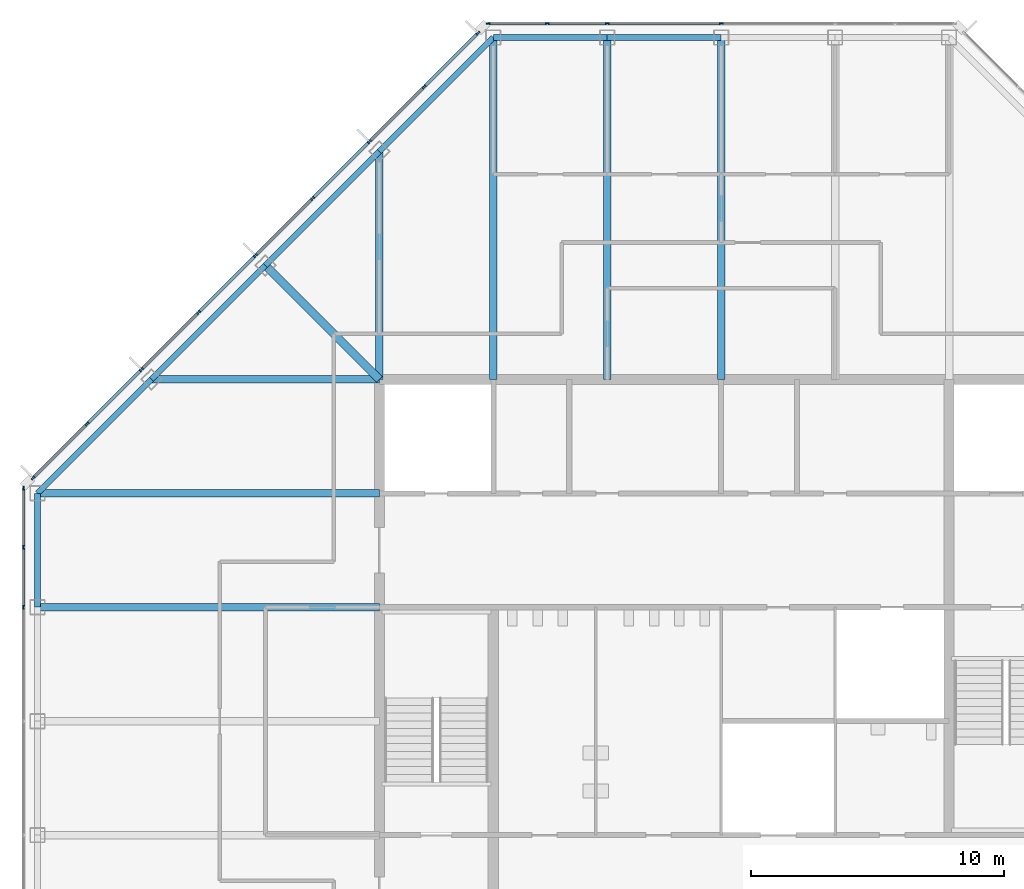
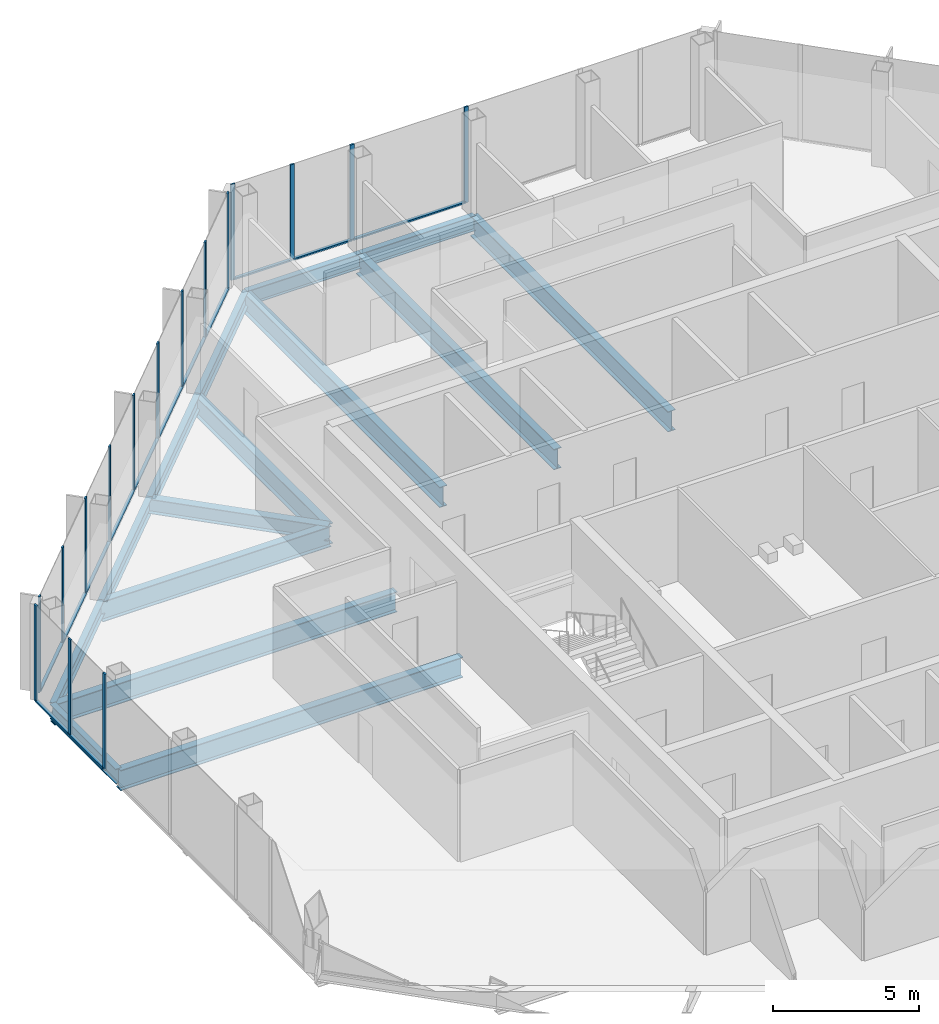
# One storey, part 6 of 14: 29 members, 15 beams, 3 elements without a shape of their own.
"""IFC4 building model written with IfcOpenShell, lengths in metres."""

from ifc_helpers import new_model, si_unit, direction, frame, origin, origin_2d, place, context, subcontext, project, spatial, rectangle, i_section, extrude, material, material_profile, profile_set, type_object, element, aggregate, save


model = new_model("IFC4")

# Units and contexts
model_context = context("Model", 3, precision=1e-05, world=origin(), true_north=direction((0.0, 1.0)))
body_context = subcontext(model_context, "Body", "Model", "MODEL_VIEW")
ifc_project = project(units=[si_unit("LENGTHUNIT", "METRE"), si_unit("AREAUNIT", "SQUARE_METRE"), si_unit("VOLUMEUNIT", "CUBIC_METRE"), si_unit("PLANEANGLEUNIT", "RADIAN"), si_unit("MASSUNIT", "GRAM", prefix="KILO")], contexts=[model_context])

# Site, building, storey
site_placement = place(None, origin())
site = spatial("IfcSite", under=ifc_project, at=site_placement, CompositionType="ELEMENT")
building_placement = place(site_placement, origin())
building = spatial("IfcBuilding", under=site, at=building_placement, Name="Corais Broadcast Tower", CompositionType="ELEMENT")
storey_placement = place(building_placement, frame((0.0, 0.0, 282.60009765625)))
storey = spatial("IfcBuildingStorey", under=building, at=storey_placement, Name="L66", CompositionType="ELEMENT", Elevation=282.60009765625)

# Beams
ifc_material_1 = material(Name="Steel ASTM A572 Grade 50", Category="steel")
ifc_material_profile_1 = material_profile(ifc_material_1, i_section(OverallWidth=0.323974609375, OverallDepth=0.611083984375, WebThickness=0.0126953125, FlangeThickness=0.01904296875, at=origin_2d()), Name="W610x155")
ifc_profile_set_1 = profile_set([ifc_material_profile_1], Name="Steel ASTM A572 Grade 50")
beam_type_1 = type_object("IfcBeamType", Name="Corner diagonal W610x155", PredefinedType="BEAM", material=ifc_profile_set_1)
beam_1_placement = place(storey_placement, frame((9.0, 45.0, -0.465576171875), z_axis=(0.707106781187, -0.707106781187, 0.0), x_axis=(0.707106781187, 0.707106781187, 0.0)))
element("IfcBeam", 1, at=beam_1_placement, inside=storey, type_object=beam_type_1, Name="B6 L/5 to K/6", PredefinedType="BEAM", context=body_context, shape_type="SweptSolid", body=[
    extrude(i_section(OverallWidth=0.323974609375, OverallDepth=0.611083984375, WebThickness=0.0126953125, FlangeThickness=0.01904296875, at=origin_2d()), origin(), (0.0, 0.0, 1.0), 6.364013671875),
])
ifc_material_2 = material(Name="Steel ASTM A572 Grade 50", Category="steel")
ifc_material_profile_2 = material_profile(ifc_material_2, i_section(OverallWidth=0.2939453125, OverallDepth=0.85107421875, WebThickness=0.01611328125, FlangeThickness=0.02685546875, at=origin_2d()), Name="W840x226")
ifc_profile_set_2 = profile_set([ifc_material_profile_2], Name="Steel ASTM A572 Grade 50")
beam_type_2 = type_object("IfcBeamType", Name="Floor beam W840x226", PredefinedType="BEAM", material=ifc_profile_set_2)
for number, where, z_axis, x_axis, name in (
    (2, (0.0, 31.5, -0.585693359375), (1.0, 0.0, 0.0), (0.0, 1.0, 0.0), "B1 H/3 to H/6"),
    (3, (0.0, 36.0, -0.585693359375), (1.0, 0.0, 0.0), (0.0, 1.0, 0.0), "B1 J/3 to J/6"),
):
    element("IfcBeam", number, at=place(storey_placement, frame(where, z_axis=z_axis, x_axis=x_axis)), inside=storey, type_object=beam_type_2, Name=name, PredefinedType="BEAM", context=body_context, shape_type="SweptSolid", body=[
        extrude(i_section(OverallWidth=0.2939453125, OverallDepth=0.85107421875, WebThickness=0.01611328125, FlangeThickness=0.02685546875, at=origin_2d()), origin(), (0.0, 0.0, 1.0), 13.5),
    ])
beam_2_placement = place(storey_placement, frame((13.5, 49.5, -0.585693359375), z_axis=(0.0, -1.0, 0.0), x_axis=(1.0, 0.0, 0.0)))
element("IfcBeam", 4, at=beam_2_placement, inside=storey, type_object=beam_type_2, Name="B1 M/6 to K/6", PredefinedType="BEAM", context=body_context, shape_type="SweptSolid", body=[
    extrude(i_section(OverallWidth=0.2939453125, OverallDepth=0.85107421875, WebThickness=0.01611328125, FlangeThickness=0.02685546875, at=origin_2d()), origin(), (0.0, 0.0, 1.0), 9.0),
])
for number, where, z_axis, x_axis, name in (
    (5, (18.0, 54.0, -0.585693359375), (0.0, -1.0, 0.0), (1.0, 0.0, 0.0), "B1 N/7 to K/7"),
    (6, (22.5, 54.0, -0.585693359375), (0.0, -1.0, 0.0), (1.0, 0.0, 0.0), "B1 N/8 to K/8"),
    (7, (27.0, 54.0, -0.585693359375), (0.0, -1.0, 0.0), (1.0, 0.0, 0.0), "B1 N/9 to K/9"),
):
    element("IfcBeam", number, at=place(storey_placement, frame(where, z_axis=z_axis, x_axis=x_axis)), inside=storey, type_object=beam_type_2, Name=name, PredefinedType="BEAM", context=body_context, shape_type="SweptSolid", body=[
        extrude(i_section(OverallWidth=0.2939453125, OverallDepth=0.85107421875, WebThickness=0.01611328125, FlangeThickness=0.02685546875, at=origin_2d()), origin(), (0.0, 0.0, 1.0), 13.5),
    ])
beam_3_placement = place(storey_placement, frame((4.5, 40.5, -0.585693359375), z_axis=(1.0, 0.0, 0.0), x_axis=(0.0, 1.0, 0.0)))
element("IfcBeam", 8, at=beam_3_placement, inside=storey, type_object=beam_type_2, Name="B1 K/4 to K/6", PredefinedType="BEAM", context=body_context, shape_type="SweptSolid", body=[
    extrude(i_section(OverallWidth=0.2939453125, OverallDepth=0.85107421875, WebThickness=0.01611328125, FlangeThickness=0.02685546875, at=origin_2d()), origin(), (0.0, 0.0, 1.0), 9.0),
])

# Curtain wall, members
ifc_material_3 = material(Name="Aluminium and glass", Category="aluminium")
curtain_wall_type = type_object("IfcCurtainWallType", Name="Unitised fritted curtain wall CW3", PredefinedType="NOTDEFINED", material=ifc_material_3)
curtain_wall_1_placement = place(storey_placement, origin())
curtain_wall_1 = element("IfcCurtainWall", 9, at=curtain_wall_1_placement, inside=storey, type_object=curtain_wall_type, Name="CW3 curtain wall L66 2", PredefinedType="NOTDEFINED")
ifc_material_4 = material(Name="Aluminium 6063-T6", Category="aluminium")
ifc_material_profile_3 = material_profile(ifc_material_4, rectangle(XDim=0.06494140625, YDim=0.159912109375, at=origin_2d()), Name="Mullion CW3 65x160")
ifc_profile_set_3 = profile_set([ifc_material_profile_3], Name="Aluminium 6063-T6")
member_type_1 = type_object("IfcMemberType", Name="Mullion CW3 65x160", PredefinedType="MULLION", material=ifc_profile_set_3)
member_1_placement = place(storey_placement, frame((-0.550048828125, 31.5, 0.0), z_axis=(0.0, 0.0, 1.0), x_axis=(-1.0, 0.0, 0.0)))
member_1 = element("IfcMember", 10, at=member_1_placement, type_object=member_type_1, Name="CW3 mullion 5", PredefinedType="MULLION", context=body_context, shape_type="SweptSolid", body=[
    extrude(rectangle(XDim=0.06494140625, YDim=0.159912109375, at=origin_2d()), origin(), (0.0, 0.0, 1.0), 4.0),
])
member_2_placement = place(storey_placement, frame((-0.550048828125, 33.864013671875, 0.0), z_axis=(0.0, 0.0, 1.0), x_axis=(-1.0, 0.0, 0.0)))
member_2 = element("IfcMember", 11, at=member_2_placement, type_object=member_type_1, Name="CW3 mullion 6", PredefinedType="MULLION", context=body_context, shape_type="SweptSolid", body=[
    extrude(rectangle(XDim=0.06494140625, YDim=0.159912109375, at=origin_2d()), origin(), (0.0, 0.0, 1.0), 4.0),
])
member_3_placement = place(storey_placement, frame((-0.550048828125, 36.1953125, 0.0), z_axis=(0.0, 0.0, 1.0), x_axis=(-1.0, 0.0, 0.0)))
member_3 = element("IfcMember", 12, at=member_3_placement, type_object=member_type_1, Name="CW3 mullion 7", PredefinedType="MULLION", context=body_context, shape_type="SweptSolid", body=[
    extrude(rectangle(XDim=0.06494140625, YDim=0.159912109375, at=origin_2d()), origin(), (0.0, 0.0, 1.0), 4.0),
])

curtain_wall_2_placement = place(storey_placement, origin())
curtain_wall_2 = element("IfcCurtainWall", 13, at=curtain_wall_2_placement, inside=storey, type_object=curtain_wall_type, Name="CW3 curtain wall L66 3", PredefinedType="NOTDEFINED")
member_4_placement = place(storey_placement, frame((-0.17333984375, 36.6044921875, 0.0), z_axis=(0.0, 0.0, 1.0), x_axis=(-0.707106781187, 0.707106781187, 0.0)))
member_4 = element("IfcMember", 14, at=member_4_placement, type_object=member_type_1, Name="CW3 mullion 1", PredefinedType="MULLION", context=body_context, shape_type="SweptSolid", body=[
    extrude(rectangle(XDim=0.06494140625, YDim=0.159912109375, at=origin_2d()), origin(), (0.0, 0.0, 1.0), 4.0),
])
member_5_placement = place(storey_placement, frame((1.957275390625, 38.735107421875, 0.0), z_axis=(0.0, 0.0, 1.0), x_axis=(-0.707106781187, 0.707106781187, 0.0)))
member_5 = element("IfcMember", 15, at=member_5_placement, type_object=member_type_1, Name="CW3 mullion 2", PredefinedType="MULLION", context=body_context, shape_type="SweptSolid", body=[
    extrude(rectangle(XDim=0.06494140625, YDim=0.159912109375, at=origin_2d()), origin(), (0.0, 0.0, 1.0), 4.0),
])
member_6_placement = place(storey_placement, frame((4.111083984375, 40.888916015625, 0.0), z_axis=(0.0, 0.0, 1.0), x_axis=(-0.707106781187, 0.707106781187, 0.0)))
member_6 = element("IfcMember", 16, at=member_6_placement, type_object=member_type_1, Name="CW3 mullion 3", PredefinedType="MULLION", context=body_context, shape_type="SweptSolid", body=[
    extrude(rectangle(XDim=0.06494140625, YDim=0.159912109375, at=origin_2d()), origin(), (0.0, 0.0, 1.0), 4.0),
])
member_7_placement = place(storey_placement, frame((6.361083984375, 43.138916015625, 0.0), z_axis=(0.0, 0.0, 1.0), x_axis=(-0.707106781187, 0.707106781187, 0.0)))
member_7 = element("IfcMember", 17, at=member_7_placement, type_object=member_type_1, Name="CW3 mullion 4", PredefinedType="MULLION", context=body_context, shape_type="SweptSolid", body=[
    extrude(rectangle(XDim=0.06494140625, YDim=0.159912109375, at=origin_2d()), origin(), (0.0, 0.0, 1.0), 4.0),
])
member_8_placement = place(storey_placement, frame((8.611083984375, 45.388916015625, 0.0), z_axis=(0.0, 0.0, 1.0), x_axis=(-0.707106781187, 0.707106781187, 0.0)))
member_8 = element("IfcMember", 18, at=member_8_placement, type_object=member_type_1, Name="CW3 mullion 5", PredefinedType="MULLION", context=body_context, shape_type="SweptSolid", body=[
    extrude(rectangle(XDim=0.06494140625, YDim=0.159912109375, at=origin_2d()), origin(), (0.0, 0.0, 1.0), 4.0),
])
member_9_placement = place(storey_placement, frame((10.861083984375, 47.638916015625, 0.0), z_axis=(0.0, 0.0, 1.0), x_axis=(-0.707106781187, 0.707106781187, 0.0)))
member_9 = element("IfcMember", 19, at=member_9_placement, type_object=member_type_1, Name="CW3 mullion 6", PredefinedType="MULLION", context=body_context, shape_type="SweptSolid", body=[
    extrude(rectangle(XDim=0.06494140625, YDim=0.159912109375, at=origin_2d()), origin(), (0.0, 0.0, 1.0), 4.0),
])
member_10_placement = place(storey_placement, frame((13.111083984375, 49.888916015625, 0.0), z_axis=(0.0, 0.0, 1.0), x_axis=(-0.707106781187, 0.707106781187, 0.0)))
member_10 = element("IfcMember", 20, at=member_10_placement, type_object=member_type_1, Name="CW3 mullion 7", PredefinedType="MULLION", context=body_context, shape_type="SweptSolid", body=[
    extrude(rectangle(XDim=0.06494140625, YDim=0.159912109375, at=origin_2d()), origin(), (0.0, 0.0, 1.0), 4.0),
])
member_11_placement = place(storey_placement, frame((15.264892578125, 52.042724609375, 0.0), z_axis=(0.0, 0.0, 1.0), x_axis=(-0.707106781187, 0.707106781187, 0.0)))
member_11 = element("IfcMember", 21, at=member_11_placement, type_object=member_type_1, Name="CW3 mullion 8", PredefinedType="MULLION", context=body_context, shape_type="SweptSolid", body=[
    extrude(rectangle(XDim=0.06494140625, YDim=0.159912109375, at=origin_2d()), origin(), (0.0, 0.0, 1.0), 4.0),
])
member_12_placement = place(storey_placement, frame((17.3955078125, 54.17333984375, 0.0), z_axis=(0.0, 0.0, 1.0), x_axis=(-0.707106781187, 0.707106781187, 0.0)))
member_12 = element("IfcMember", 22, at=member_12_placement, type_object=member_type_1, Name="CW3 mullion 9", PredefinedType="MULLION", context=body_context, shape_type="SweptSolid", body=[
    extrude(rectangle(XDim=0.06494140625, YDim=0.159912109375, at=origin_2d()), origin(), (0.0, 0.0, 1.0), 4.0),
])

curtain_wall_3_placement = place(storey_placement, origin())
curtain_wall_3 = element("IfcCurtainWall", 23, at=curtain_wall_3_placement, inside=storey, type_object=curtain_wall_type, Name="CW3 curtain wall L66 4", PredefinedType="NOTDEFINED")
member_13_placement = place(storey_placement, frame((17.8046875, 54.550048828125, 0.0), z_axis=(0.0, 0.0, 1.0), x_axis=(0.0, 1.0, 0.0)))
member_13 = element("IfcMember", 24, at=member_13_placement, type_object=member_type_1, Name="CW3 mullion 1", PredefinedType="MULLION", context=body_context, shape_type="SweptSolid", body=[
    extrude(rectangle(XDim=0.06494140625, YDim=0.159912109375, at=origin_2d()), origin(), (0.0, 0.0, 1.0), 4.0),
])
member_14_placement = place(storey_placement, frame((20.135986328125, 54.550048828125, 0.0), z_axis=(0.0, 0.0, 1.0), x_axis=(0.0, 1.0, 0.0)))
member_14 = element("IfcMember", 25, at=member_14_placement, type_object=member_type_1, Name="CW3 mullion 2", PredefinedType="MULLION", context=body_context, shape_type="SweptSolid", body=[
    extrude(rectangle(XDim=0.06494140625, YDim=0.159912109375, at=origin_2d()), origin(), (0.0, 0.0, 1.0), 4.0),
])
member_15_placement = place(storey_placement, frame((22.5, 54.550048828125, 0.0), z_axis=(0.0, 0.0, 1.0), x_axis=(0.0, 1.0, 0.0)))
member_15 = element("IfcMember", 26, at=member_15_placement, type_object=member_type_1, Name="CW3 mullion 3", PredefinedType="MULLION", context=body_context, shape_type="SweptSolid", body=[
    extrude(rectangle(XDim=0.06494140625, YDim=0.159912109375, at=origin_2d()), origin(), (0.0, 0.0, 1.0), 4.0),
])
member_16_placement = place(storey_placement, frame((27.0, 54.550048828125, 0.0), z_axis=(0.0, 0.0, 1.0), x_axis=(0.0, 1.0, 0.0)))
member_16 = element("IfcMember", 27, at=member_16_placement, type_object=member_type_1, Name="CW3 mullion 4", PredefinedType="MULLION", context=body_context, shape_type="SweptSolid", body=[
    extrude(rectangle(XDim=0.06494140625, YDim=0.159912109375, at=origin_2d()), origin(), (0.0, 0.0, 1.0), 4.0),
])

# Beams
ifc_material_5 = material(Name="Steel ASTM A572 Grade 50", Category="steel")
ifc_material_profile_4 = material_profile(ifc_material_5, i_section(OverallWidth=0.22998046875, OverallDepth=0.616943359375, WebThickness=0.01318359375, FlangeThickness=0.022216796875, at=origin_2d()), Name="W610x140")
ifc_profile_set_4 = profile_set([ifc_material_profile_4], Name="Steel ASTM A572 Grade 50")
beam_type_3 = type_object("IfcBeamType", Name="Spandrel W610x140", PredefinedType="BEAM", material=ifc_profile_set_4)
beam_4_placement = place(storey_placement, frame((0.0, 36.0, -0.468505859375), z_axis=(0.0, -1.0, 0.0), x_axis=(1.0, 0.0, 0.0)))
element("IfcBeam", 28, at=beam_4_placement, inside=storey, type_object=beam_type_3, Name="SB3 J/3 to H/3", PredefinedType="BEAM", context=body_context, shape_type="SweptSolid", body=[
    extrude(i_section(OverallWidth=0.22998046875, OverallDepth=0.616943359375, WebThickness=0.01318359375, FlangeThickness=0.022216796875, at=origin_2d()), origin(), (0.0, 0.0, 1.0), 4.5),
])
for number, where, z_axis, x_axis, name in (
    (29, (13.5, 49.5, -0.468505859375), (-0.707106781187, -0.707106781187, 0.0), (0.707106781187, -0.707106781187, 0.0), "SB3 M/6 to L/5"),
    (30, (18.0, 54.0, -0.468505859375), (-0.707106781187, -0.707106781187, 0.0), (0.707106781187, -0.707106781187, 0.0), "SB3 N/7 to M/6"),
):
    element("IfcBeam", number, at=place(storey_placement, frame(where, z_axis=z_axis, x_axis=x_axis)), inside=storey, type_object=beam_type_3, Name=name, PredefinedType="BEAM", context=body_context, shape_type="SweptSolid", body=[
        extrude(i_section(OverallWidth=0.22998046875, OverallDepth=0.616943359375, WebThickness=0.01318359375, FlangeThickness=0.022216796875, at=origin_2d()), origin(), (0.0, 0.0, 1.0), 6.364013671875),
    ])
for number, where, z_axis, x_axis, name in (
    (31, (22.5, 54.0, -0.468505859375), (-1.0, 0.0, 0.0), (0.0, -1.0, 0.0), "SB3 N/8 to N/7"),
    (32, (27.0, 54.0, -0.468505859375), (-1.0, 0.0, 0.0), (0.0, -1.0, 0.0), "SB3 N/9 to N/8"),
):
    element("IfcBeam", number, at=place(storey_placement, frame(where, z_axis=z_axis, x_axis=x_axis)), inside=storey, type_object=beam_type_3, Name=name, PredefinedType="BEAM", context=body_context, shape_type="SweptSolid", body=[
        extrude(i_section(OverallWidth=0.22998046875, OverallDepth=0.616943359375, WebThickness=0.01318359375, FlangeThickness=0.022216796875, at=origin_2d()), origin(), (0.0, 0.0, 1.0), 4.5),
    ])
for number, where, z_axis, x_axis, name in (
    (33, (4.5, 40.5, -0.468505859375), (-0.707106781187, -0.707106781187, 0.0), (0.707106781187, -0.707106781187, 0.0), "SB3 K/4 to J/3"),
    (34, (9.0, 45.0, -0.468505859375), (-0.707106781187, -0.707106781187, 0.0), (0.707106781187, -0.707106781187, 0.0), "SB3 L/5 to K/4"),
):
    element("IfcBeam", number, at=place(storey_placement, frame(where, z_axis=z_axis, x_axis=x_axis)), inside=storey, type_object=beam_type_3, Name=name, PredefinedType="BEAM", context=body_context, shape_type="SweptSolid", body=[
        extrude(i_section(OverallWidth=0.22998046875, OverallDepth=0.616943359375, WebThickness=0.01318359375, FlangeThickness=0.022216796875, at=origin_2d()), origin(), (0.0, 0.0, 1.0), 6.364013671875),
    ])

# Member
ifc_material_6 = material(Name="Aluminium 6063-T6", Category="aluminium")
ifc_material_profile_5 = material_profile(ifc_material_6, rectangle(XDim=0.1201171875, YDim=0.06494140625, at=origin_2d()), Name="Transom CW3 65x120")
ifc_profile_set_5 = profile_set([ifc_material_profile_5], Name="Aluminium 6063-T6")
member_type_2 = type_object("IfcMemberType", Name="Transom CW3 65x120", PredefinedType="USERDEFINED", material=ifc_profile_set_5)
member_17_placement = place(storey_placement, frame((-0.550048828125, 31.532470703125, 0.032470703125), z_axis=(0.0, 1.0, 0.0), x_axis=(-1.0, 0.0, 0.0)))
member_17 = element("IfcMember", 35, at=member_17_placement, type_object=member_type_2, Name="CW3 transom 5.1", ObjectType="TRANSOM", PredefinedType="USERDEFINED", context=body_context, shape_type="SweptSolid", body=[
    extrude(rectangle(XDim=0.1201171875, YDim=0.06494140625, at=origin_2d()), origin(), (0.0, 0.0, 1.0), 2.298828125),
])

member_18_placement = place(storey_placement, frame((-0.550048828125, 33.896484375, 0.032470703125), z_axis=(0.0, 1.0, 0.0), x_axis=(-1.0, 0.0, 0.0)))
member_18 = element("IfcMember", 36, at=member_18_placement, type_object=member_type_2, Name="CW3 transom 6.1", ObjectType="TRANSOM", PredefinedType="USERDEFINED", context=body_context, shape_type="SweptSolid", body=[
    extrude(rectangle(XDim=0.1201171875, YDim=0.06494140625, at=origin_2d()), origin(), (0.0, 0.0, 1.0), 2.266357421875),
])

aggregate(curtain_wall_1, [member_1, member_2, member_3, member_17, member_18])

member_19_placement = place(storey_placement, frame((-0.150390625, 36.62744140625, 0.032470703125), z_axis=(0.707106781187, 0.707106781187, 0.0), x_axis=(-0.707106781187, 0.707106781187, 0.0)))
member_19 = element("IfcMember", 37, at=member_19_placement, type_object=member_type_2, Name="CW3 transom 1.1", ObjectType="TRANSOM", PredefinedType="USERDEFINED", context=body_context, shape_type="SweptSolid", body=[
    extrude(rectangle(XDim=0.1201171875, YDim=0.06494140625, at=origin_2d()), origin(), (0.0, 0.0, 1.0), 2.9482421875),
])

member_20_placement = place(storey_placement, frame((1.980224609375, 38.758056640625, 0.032470703125), z_axis=(0.707106781187, 0.707106781187, 0.0), x_axis=(-0.707106781187, 0.707106781187, 0.0)))
member_20 = element("IfcMember", 38, at=member_20_placement, type_object=member_type_2, Name="CW3 transom 2.1", ObjectType="TRANSOM", PredefinedType="USERDEFINED", context=body_context, shape_type="SweptSolid", body=[
    extrude(rectangle(XDim=0.1201171875, YDim=0.06494140625, at=origin_2d()), origin(), (0.0, 0.0, 1.0), 2.98095703125),
])

member_21_placement = place(storey_placement, frame((4.134033203125, 40.911865234375, 0.032470703125), z_axis=(0.707106781187, 0.707106781187, 0.0), x_axis=(-0.707106781187, 0.707106781187, 0.0)))
member_21 = element("IfcMember", 39, at=member_21_placement, type_object=member_type_2, Name="CW3 transom 3.1", ObjectType="TRANSOM", PredefinedType="USERDEFINED", context=body_context, shape_type="SweptSolid", body=[
    extrude(rectangle(XDim=0.1201171875, YDim=0.06494140625, at=origin_2d()), origin(), (0.0, 0.0, 1.0), 3.1171875),
])

member_22_placement = place(storey_placement, frame((6.384033203125, 43.161865234375, 0.032470703125), z_axis=(0.707106781187, 0.707106781187, 0.0), x_axis=(-0.707106781187, 0.707106781187, 0.0)))
member_22 = element("IfcMember", 40, at=member_22_placement, type_object=member_type_2, Name="CW3 transom 4.1", ObjectType="TRANSOM", PredefinedType="USERDEFINED", context=body_context, shape_type="SweptSolid", body=[
    extrude(rectangle(XDim=0.1201171875, YDim=0.06494140625, at=origin_2d()), origin(), (0.0, 0.0, 1.0), 3.1171875),
])

member_23_placement = place(storey_placement, frame((8.634033203125, 45.411865234375, 0.032470703125), z_axis=(0.707106781187, 0.707106781187, 0.0), x_axis=(-0.707106781187, 0.707106781187, 0.0)))
member_23 = element("IfcMember", 41, at=member_23_placement, type_object=member_type_2, Name="CW3 transom 5.1", ObjectType="TRANSOM", PredefinedType="USERDEFINED", context=body_context, shape_type="SweptSolid", body=[
    extrude(rectangle(XDim=0.1201171875, YDim=0.06494140625, at=origin_2d()), origin(), (0.0, 0.0, 1.0), 3.1171875),
])

member_24_placement = place(storey_placement, frame((10.884033203125, 47.661865234375, 0.032470703125), z_axis=(0.707106781187, 0.707106781187, 0.0), x_axis=(-0.707106781187, 0.707106781187, 0.0)))
member_24 = element("IfcMember", 42, at=member_24_placement, type_object=member_type_2, Name="CW3 transom 6.1", ObjectType="TRANSOM", PredefinedType="USERDEFINED", context=body_context, shape_type="SweptSolid", body=[
    extrude(rectangle(XDim=0.1201171875, YDim=0.06494140625, at=origin_2d()), origin(), (0.0, 0.0, 1.0), 3.1171875),
])

member_25_placement = place(storey_placement, frame((13.134033203125, 49.911865234375, 0.032470703125), z_axis=(0.70714773134, 0.707065828661, 0.0), x_axis=(-0.707065828661, 0.70714773134, 0.0)))
member_25 = element("IfcMember", 43, at=member_25_placement, type_object=member_type_2, Name="CW3 transom 7.1", ObjectType="TRANSOM", PredefinedType="USERDEFINED", context=body_context, shape_type="SweptSolid", body=[
    extrude(rectangle(XDim=0.1201171875, YDim=0.06494140625, at=origin_2d()), origin(), (0.0, 0.0, 1.0), 2.98095703125),
])

member_26_placement = place(storey_placement, frame((15.287841796875, 52.065673828125, 0.032470703125), z_axis=(0.707106781187, 0.707106781187, 0.0), x_axis=(-0.707106781187, 0.707106781187, 0.0)))
member_26 = element("IfcMember", 44, at=member_26_placement, type_object=member_type_2, Name="CW3 transom 8.1", ObjectType="TRANSOM", PredefinedType="USERDEFINED", context=body_context, shape_type="SweptSolid", body=[
    extrude(rectangle(XDim=0.1201171875, YDim=0.06494140625, at=origin_2d()), origin(), (0.0, 0.0, 1.0), 2.9482421875),
])

aggregate(curtain_wall_2, [member_4, member_5, member_6, member_7, member_8, member_9, member_10, member_11, member_12, member_19, member_20, member_21, member_22, member_23, member_24, member_25, member_26])

member_27_placement = place(storey_placement, frame((17.837158203125, 54.550048828125, 0.032470703125), z_axis=(1.0, 0.0, 0.0), x_axis=(0.0, 1.0, 0.0)))
member_27 = element("IfcMember", 45, at=member_27_placement, type_object=member_type_2, Name="CW3 transom 1.1", ObjectType="TRANSOM", PredefinedType="USERDEFINED", context=body_context, shape_type="SweptSolid", body=[
    extrude(rectangle(XDim=0.1201171875, YDim=0.06494140625, at=origin_2d()), origin(), (0.0, 0.0, 1.0), 2.266357421875),
])

member_28_placement = place(storey_placement, frame((20.168701171875, 54.550048828125, 0.032470703125), z_axis=(1.0, 0.0, 0.0), x_axis=(0.0, 1.0, 0.0)))
member_28 = element("IfcMember", 46, at=member_28_placement, type_object=member_type_2, Name="CW3 transom 2.1", ObjectType="TRANSOM", PredefinedType="USERDEFINED", context=body_context, shape_type="SweptSolid", body=[
    extrude(rectangle(XDim=0.1201171875, YDim=0.06494140625, at=origin_2d()), origin(), (0.0, 0.0, 1.0), 2.298828125),
])

member_29_placement = place(storey_placement, frame((22.532470703125, 54.550048828125, 0.032470703125), z_axis=(1.0, 0.0, 0.0), x_axis=(0.0, 1.0, 0.0)))
member_29 = element("IfcMember", 47, at=member_29_placement, type_object=member_type_2, Name="CW3 transom 3.1", ObjectType="TRANSOM", PredefinedType="USERDEFINED", context=body_context, shape_type="SweptSolid", body=[
    extrude(rectangle(XDim=0.1201171875, YDim=0.06494140625, at=origin_2d()), origin(), (0.0, 0.0, 1.0), 4.43505859375),
])

aggregate(curtain_wall_3, [member_13, member_14, member_15, member_16, member_27, member_28, member_29])

save(model, "model.ifc")
